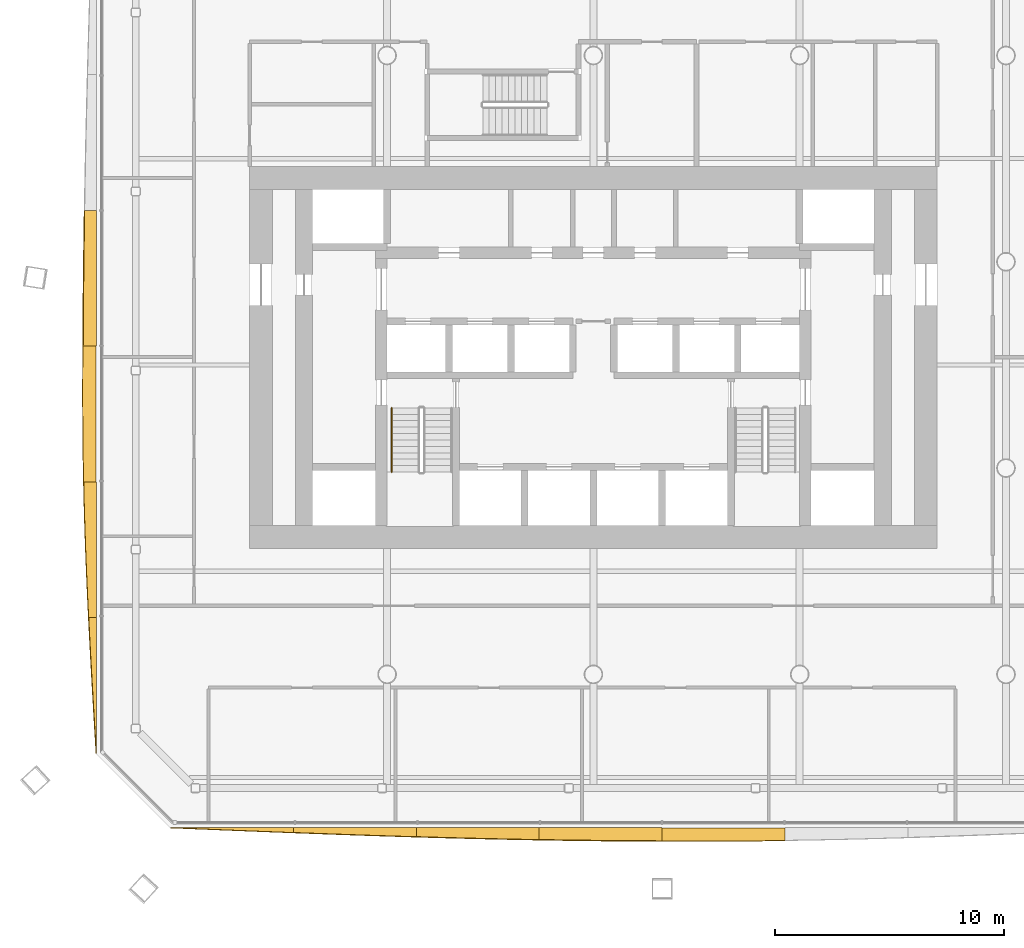
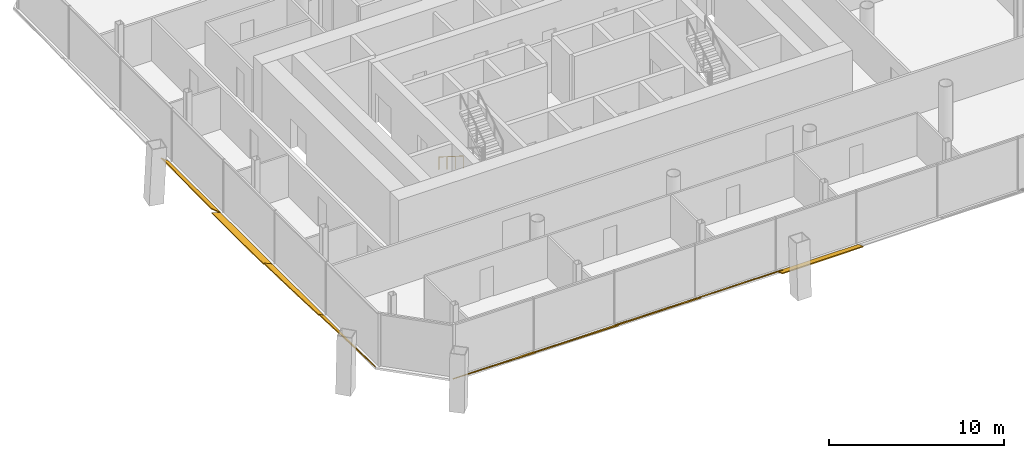
# One storey, part 15 of 19: 9 shading devices, 1 railing.
"""IFC4 building model written with IfcOpenShell, lengths in metres."""

from ifc_helpers import new_model, si_unit, direction, frame, origin, origin_2d, place, context, subcontext, project, spatial, polyline, circle, outline, extrude, material, layer, layer_set, type_object, element, save


model = new_model("IFC4")

# Units and contexts
model_context = context("Model", 3, precision=1e-05, world=origin(), true_north=direction((0.0, 1.0)))
body_context = subcontext(model_context, "Body", "Model", "MODEL_VIEW")
ifc_project = project(units=[si_unit("LENGTHUNIT", "METRE"), si_unit("AREAUNIT", "SQUARE_METRE"), si_unit("VOLUMEUNIT", "CUBIC_METRE"), si_unit("PLANEANGLEUNIT", "RADIAN"), si_unit("MASSUNIT", "GRAM", prefix="KILO")], contexts=[model_context])

# Site, building, storey
site_placement = place(None, origin())
site = spatial("IfcSite", under=ifc_project, at=site_placement, CompositionType="ELEMENT")
building_placement = place(site_placement, origin())
building = spatial("IfcBuilding", under=site, at=building_placement, Name="Tskaro Facet Tower", CompositionType="ELEMENT")
storey_placement = place(building_placement, frame((0.0, 0.0, 89.39990234375)))
storey = spatial("IfcBuildingStorey", under=building, at=storey_placement, Name="L21", CompositionType="ELEMENT", Elevation=89.39990234375)

# Shading devices
ifc_material_1 = material(Name="Bronze anodised aluminium 6063-T6", Category="aluminium")
ifc_layer = layer(ifc_material_1, 0.06005859375, Name="Bronze anodised aluminium 6063-T6")
ifc_layer_set = layer_set([ifc_layer], Name="Bronze anodised aluminium 6063-T6")
shading_device_type = type_object("IfcShadingDeviceType", Name="Bronze sun blade (FN1)", PredefinedType="USERDEFINED", material=ifc_layer_set)
shading_device_1_placement = place(storey_placement, frame((-18.451904296875, -24.687744140625, 0.054443359375), z_axis=(4.3288528e-05, 0.423206284788, 0.906033354045), x_axis=(0.999999999063, -1.8319977e-05, -3.9220851e-05)))
element("IfcShadingDevice", 1, at=shading_device_1_placement, inside=storey, type_object=shading_device_type, Name="Fin blade south 1", ObjectType="FIN", PredefinedType="USERDEFINED", context=body_context, shape_type="SweptSolid", body=[
    extrude(outline(polyline([(0.0, 0.0), (5.36279296372534, -1.8169849335339806e-20), (5.3627929737427396, -0.23701756084772874), (4.692626953839421, -0.20850763809558115), (4.022216793941434, -0.17945199439739543), (3.351806639146199, -0.15007182930270624), (2.6813964798783125, -0.12047046465848232), (2.010986325713179, -0.09054457861775496), (1.3405761670753946, -0.0603974930274929), (0.6701660084376101, -0.030250407437230842), (0.0, 0.0)])), origin(), (0.0, 0.0, -1.0), 0.06005859375),
])
shading_device_2_placement = place(storey_placement, frame((-13.089111328125, -24.68310546875, 0.052001953125), z_axis=(-1.3313029e-05, 0.500216693465, 0.8659002595), x_axis=(0.999999999911, 6.659399e-06, 1.1527755e-05)))
element("IfcShadingDevice", 2, at=shading_device_2_placement, inside=storey, type_object=shading_device_type, Name="Fin blade south 2", ObjectType="FIN", PredefinedType="USERDEFINED", context=body_context, shape_type="SweptSolid", body=[
    extrude(outline(polyline([(0.0, 0.0), (5.363037108899737, 0.0), (5.363037109832293, -0.46159270434240796), (4.692626952306141, -0.43785094658206114), (4.022460937468064, -0.4133528613138435), (3.352050780065149, -0.38764280067481693), (2.68164062472533, -0.36117641252791954), (2.011230468634213, -0.3338315736569626), (1.3408203129803637, -0.3059418087086955), (0.6704101565752167, -0.2771735930363688), (-1.0184936011485252e-09, -0.2480718527172926), (0.0, 0.0)])), origin(), (0.0, 0.0, -1.0), 0.06005859375),
])
shading_device_3_placement = place(storey_placement, frame((-7.72607421875, -24.678466796875, 0.04931640625), z_axis=(-6.420081e-06, 0.573371331338, 0.819295622079), x_axis=(0.999999999979, 3.68109e-06, 5.259944e-06)))
element("IfcShadingDevice", 3, at=shading_device_3_placement, inside=storey, type_object=shading_device_type, Name="Fin blade south 3", ObjectType="FIN", PredefinedType="USERDEFINED", context=body_context, shape_type="SweptSolid", body=[
    extrude(outline(polyline([(0.0, 0.0), (5.363037109264475, 0.0), (5.3630371093402385, -0.6463451868446934), (4.692626952707965, -0.6311045997705959), (4.022216796716711, -0.614443946264728), (3.3520507810927698, -0.5965632496723281), (2.6816406254848535, -0.5772624866481582), (2.0112304687205502, -0.5569417038826946), (1.340820312597267, -0.5352008546854609), (0.6704101562163008, -0.5122399624016952), (-4.223488963103534e-10, -0.4880590270313977), (0.0, 0.0)])), origin(), (0.0, 0.0, -1.0), 0.06005859375),
])
shading_device_4_placement = place(storey_placement, frame((-2.363037109375, -24.67431640625, 0.046142578125), z_axis=(-1.570022e-05, 0.642662105334, 0.766149736096), x_axis=(0.999999999877, 1.0089937e-05, 1.202872e-05)))
element("IfcShadingDevice", 4, at=shading_device_4_placement, inside=storey, type_object=shading_device_type, Name="Fin blade south 4", ObjectType="FIN", PredefinedType="USERDEFINED", context=body_context, shape_type="SweptSolid", body=[
    extrude(outline(polyline([(0.0, 0.0), (5.363037108714014, 0.0), (5.363037110207147, -0.7642244197944092), (4.692626952243116, -0.7609418376873216), (4.022216794375771, -0.755752466287213), (3.3518066400151443, -0.7491571537256798), (2.6816406263761725, -0.7406550518711259), (2.0112304672821897, -0.7306202572744256), (1.34082031415829, -0.7189924732408635), (0.670410156204348, -0.7058319964651549), (-1.1795730136088557e-09, -0.6911086785999422), (0.0, 0.0)])), origin(), (0.0, 0.0, -1.0), 0.06005859375),
])
shading_device_5_placement = place(storey_placement, frame((3.0, -24.6923828125, 0.056396484375), z_axis=(3.016897e-06, 0.342025831012, 0.939690550613), x_axis=(0.999999999995, -1.031857e-06, -2.83495e-06)))
element("IfcShadingDevice", 5, at=shading_device_5_placement, inside=storey, type_object=shading_device_type, Name="Fin blade south 5", ObjectType="FIN", PredefinedType="USERDEFINED", context=body_context, shape_type="SweptSolid", body=[
    extrude(outline(polyline([(0.0, 0.0), (5.363037109350594, 0.0), (5.363037109320103, -0.5902910872194257), (4.692626952956274, -0.6001779530782264), (4.022216796905396, -0.6082083952682378), (3.351806640727264, -0.6146953328279435), (2.681396484421875, -0.619638765757344), (2.011230468614229, -0.623038694056439), (1.340820312494536, -0.6245821986867444), (1.0297851564978697, -0.6248116153250787), (0.6704101562475869, -0.6245821986867444), (-1.2661829887780129e-10, -0.623038694056439), (0.0, 0.0)])), origin(), (0.0, 0.0, -1.0), 0.06005859375),
])
shading_device_6_placement = place(storey_placement, frame((-21.67431640625, 2.24462890625, 0.046142578125), z_axis=(0.642630617689, 1.3377688e-05, 0.766176147521), x_axis=(8.596912e-06, -0.999999999911, 1.0249665e-05)))
element("IfcShadingDevice", 6, at=shading_device_6_placement, inside=storey, type_object=shading_device_type, Name="Fin blade west 4", ObjectType="FIN", PredefinedType="USERDEFINED", context=body_context, shape_type="SweptSolid", body=[
    extrude(outline(polyline([(0.0, 0.0), (5.924316405719885, 5.0180911860529424e-21), (5.924316405960956, -0.7590350482947203), (5.183593750424743, -0.7536586266254165), (4.443115233495987, -0.7465624701351461), (3.702636717455573, -0.7382474180287633), (2.962158203998854, -0.728182468618542), (2.2216796868292605, -0.7169287860750801), (1.4812011722433622, -0.7039252062277799), (0.7404785158219725, -0.6898897854878998), (-1.9919603229573535e-09, -0.6741346299270532), (0.0, 0.0)])), origin(), (0.0, 0.0, -1.0), 0.06005859375),
])
shading_device_7_placement = place(storey_placement, frame((-21.6923828125, -3.6796875, 0.056396484375), z_axis=(0.342027701884, 5.889704e-06, 0.939689869643), x_axis=(2.014442e-06, -0.999999999983, 5.534496e-06)))
element("IfcShadingDevice", 7, at=shading_device_7_placement, inside=storey, type_object=shading_device_type, Name="Fin blade west 5", ObjectType="FIN", PredefinedType="USERDEFINED", context=body_context, shape_type="SweptSolid", body=[
    extrude(outline(polyline([(0.0, 0.0), (5.924072265522251, 0.0), (5.924072265957729, -0.5822606451777771), (5.18359374970405, -0.5975497770258176), (4.442871093814088, -0.6095224833091296), (3.7023925781866374, -0.6180952611708066), (2.961914062196704, -0.6232681106108484), (2.2629394525853748, -0.6248116151571702), (2.2214355463360946, -0.6248116151571702), (1.4809570308481639, -0.6240398628840094), (0.7404785164680736, -0.622037525393518), (1.6264171484490039e-12, -0.6188670134439676), (0.0, 0.0)])), origin(), (0.0, 0.0, -1.0), 0.06005859375),
])
shading_device_8_placement = place(storey_placement, frame((-21.687744140625, -9.603759765625, 0.054443359375), z_axis=(0.422766711292, -1.279208e-06, 0.90623854907), x_axis=(-5.40807e-07, -0.999999999999, -1.159268e-06)))
element("IfcShadingDevice", 8, at=shading_device_8_placement, inside=storey, type_object=shading_device_type, Name="Fin blade west 6", ObjectType="FIN", PredefinedType="USERDEFINED", context=body_context, shape_type="SweptSolid", body=[
    extrude(outline(polyline([(0.0, 0.0), (5.924072265620153, -6.272355488624755e-22), (5.92407226563434, -0.3655705662446187), (5.183593749909056, -0.40467035286161923), (4.443115234410597, -0.44126282002107464), (3.702636718704949, -0.4757756464270027), (2.9619140626200857, -0.5072354395547227), (2.221435546971991, -0.5360698781082526), (1.480957031154623, -0.5617332482669293), (0.7404785155830401, -0.584343585147398), (-6.824051014072799e-12, -0.60345838945812), (0.0, 0.0)])), origin(), (0.0, 0.0, -1.0), 0.06005859375),
])
shading_device_9_placement = place(storey_placement, frame((-21.68310546875, -15.52783203125, 0.052001953125), z_axis=(0.500416852417, 1.2272817e-05, 0.86578460004), x_axis=(6.141524e-06, -0.999999999925, 1.0625616e-05)))
element("IfcShadingDevice", 9, at=shading_device_9_placement, inside=storey, type_object=shading_device_type, Name="Fin blade west 7", ObjectType="FIN", PredefinedType="USERDEFINED", context=body_context, shape_type="SweptSolid", body=[
    extrude(outline(polyline([(0.0, 0.0), (5.924072265178852, -5.017884390899804e-21), (5.183593749509437, -0.05075307145366842), (4.443115235339418, -0.10129476971395175), (3.7026367189799005, -0.15116937742122735), (2.9621582019302815, -0.20016552138211016), (2.2216796882841, -0.24819400048633383), (1.480957031133337, -0.29467692529115697), (0.7404785143221002, -0.3397364678796983), (-8.705498910249402e-10, -0.3826163365886839), (0.0, 0.0)])), origin(), (0.0, 0.0, -1.0), 0.06005859375),
])

# Railing
ifc_material_2 = material(Name="Stainless steel", Category="steel")
railing_type = type_object("IfcRailingType", Name="RL-HANDRAIL-900", PredefinedType="HANDRAIL", material=ifc_material_2)
railing_placement = place(storey_placement, frame((-8.800048828125, -6.375, 0.177490234375)))
element("IfcRailing", 10, at=railing_placement, inside=storey, type_object=railing_type, Name="L21 ST-1 stair handrail 1", PredefinedType="HANDRAIL", context=body_context, shape_type="SweptSolid", body=[
    extrude(circle(Radius=0.02392578125, at=origin_2d()), frame((0.0, 0.0, 0.8759765625), z_axis=(0.0, -0.844908973607, 0.534910110503), x_axis=(1.0, 0.0, 0.0)), (0.0, 0.0, 1.0), 3.31396484375),
    extrude(circle(Radius=0.02099609375, at=origin_2d()), origin(), (0.0, 0.0, 1.0), 0.851806640625),
    extrude(circle(Radius=0.02099609375, at=origin_2d()), frame((0.0, -0.933349609375, 0.5908203125)), (0.0, 0.0, 1.0), 0.851806640625),
    extrude(circle(Radius=0.02099609375, at=origin_2d()), frame((0.0, -1.86669921875, 1.181884765625)), (0.0, 0.0, 1.0), 0.851806640625),
    extrude(circle(Radius=0.02099609375, at=origin_2d()), frame((0.0, -2.800048828125, 1.772705078125)), (0.0, 0.0, 1.0), 0.851806640625),
])

save(model, "model.ifc")
